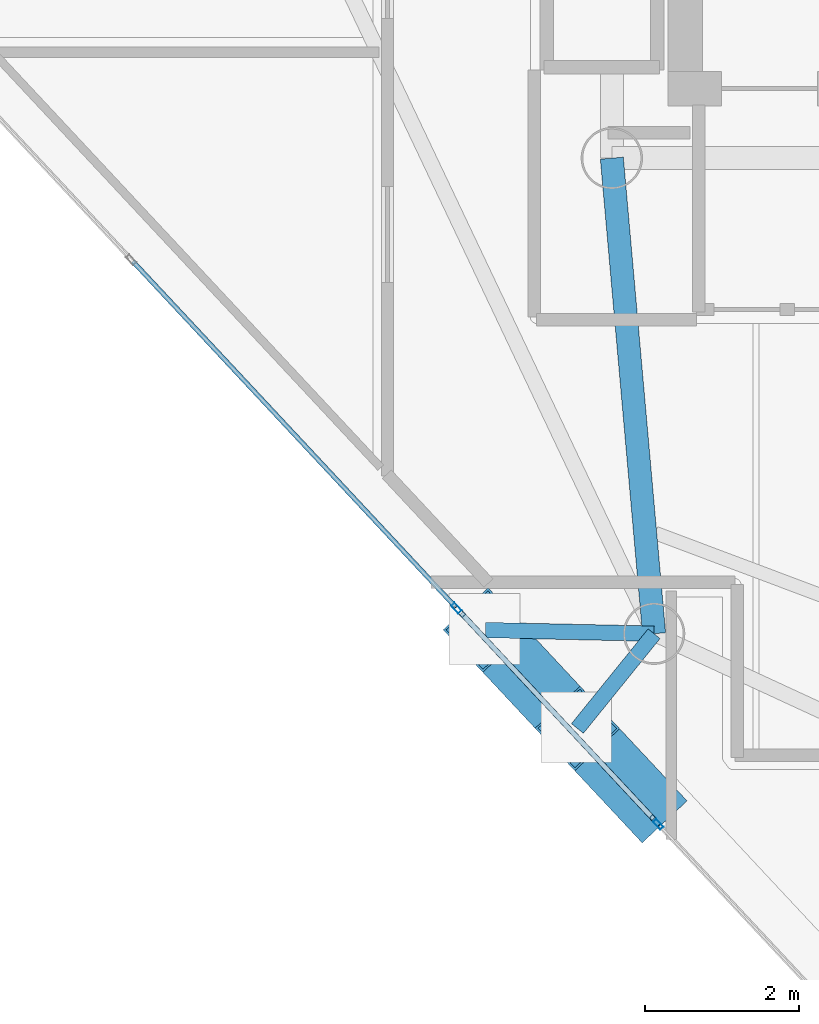
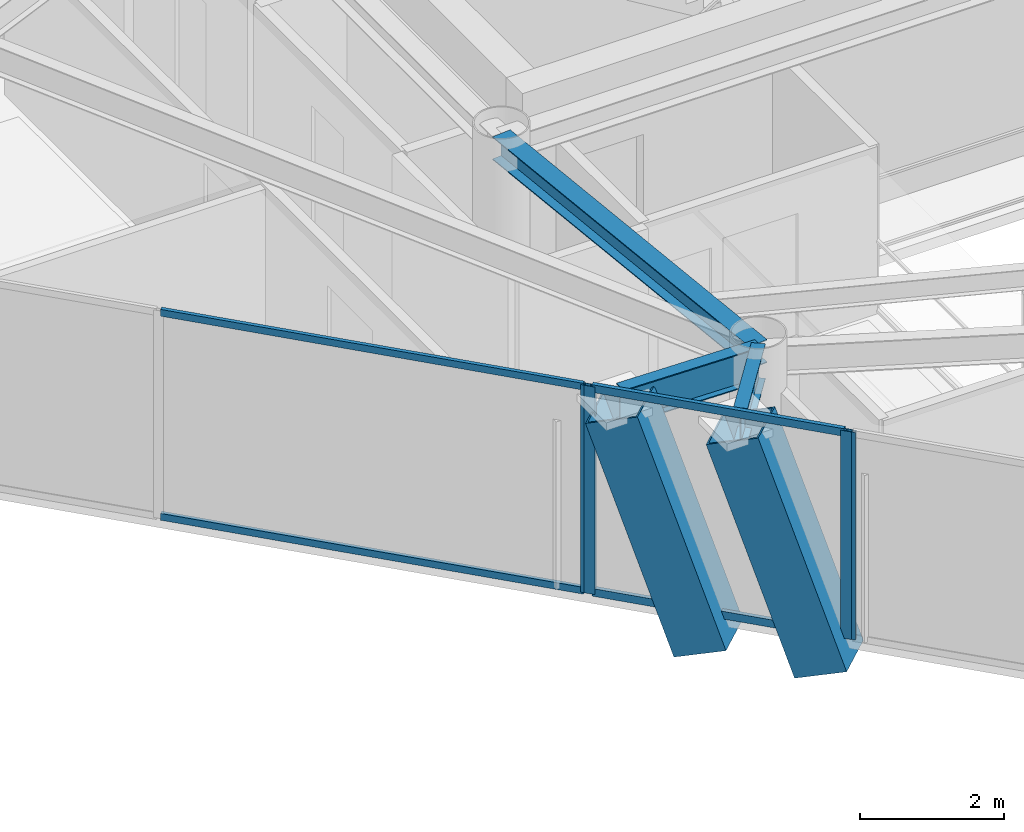
# One storey, part 3 of 19: 10 members, 3 beams, 3 elements without a shape of their own.
"""IFC4 building model written with IfcOpenShell, lengths in metres."""

from ifc_helpers import new_model, si_unit, direction, frame, origin, origin_2d, place, context, subcontext, project, spatial, hollow_rectangle, i_section, extrude, material, layer, layer_set, material_profile, profile_set, type_object, element, aggregate, save


model = new_model("IFC4")

# Units and contexts
model_context = context("Model", 3, precision=1e-05, world=origin(), true_north=direction((0.0, 1.0)))
body_context = subcontext(model_context, "Body", "Model", "MODEL_VIEW")
ifc_project = project(units=[si_unit("LENGTHUNIT", "METRE"), si_unit("AREAUNIT", "SQUARE_METRE"), si_unit("VOLUMEUNIT", "CUBIC_METRE"), si_unit("PLANEANGLEUNIT", "RADIAN"), si_unit("MASSUNIT", "GRAM", prefix="KILO")], contexts=[model_context])

# Site, building, storey
site_placement = place(None, origin())
site = spatial("IfcSite", under=ifc_project, at=site_placement, CompositionType="ELEMENT")
building_placement = place(site_placement, origin())
building = spatial("IfcBuilding", under=site, at=building_placement, Name="Qianvela Tower", CompositionType="ELEMENT")
storey_placement = place(building_placement, frame((0.0, 0.0, 333.300048828125)))
storey = spatial("IfcBuildingStorey", under=building, at=storey_placement, Name="L86", CompositionType="ELEMENT", Elevation=333.300048828125)

# Beams
ifc_material_1 = material(Name="Steel Q355B", Category="steel")
ifc_material_profile_1 = material_profile(ifc_material_1, i_section(OverallWidth=0.300048828125, OverallDepth=0.389892578125, WebThickness=0.010009765625, FlangeThickness=0.01611328125, at=origin_2d()), Name="HM390x300x10x16")
ifc_profile_set_1 = profile_set([ifc_material_profile_1], Name="Steel Q355B")
beam_type_1 = type_object("IfcBeamType", Name="BM-HM390-COLL", PredefinedType="BEAM", material=ifc_profile_set_1)
beam_1_placement = place(storey_placement, frame((28.60009765625, 23.85009765625, 3.322998046875), z_axis=(0.088501665624, -0.996076028816, 0.0), x_axis=(0.996076028816, 0.088501665624, 0.0)))
element("IfcBeam", 1, at=beam_1_placement, inside=storey, type_object=beam_type_1, Name="L86 Radial Primary Floor Girder 4", PredefinedType="BEAM", context=body_context, shape_type="SweptSolid", body=[
    extrude(i_section(OverallWidth=0.300048828125, OverallDepth=0.389892578125, WebThickness=0.010009765625, FlangeThickness=0.01611328125, at=origin_2d()), origin(), (0.0, 0.0, 1.0), 6.21240234375),
])
ifc_material_2 = material(Name="Steel Q355B", Category="steel")
ifc_material_profile_2 = material_profile(ifc_material_2, i_section(OverallWidth=0.199951171875, OverallDepth=0.60009765625, WebThickness=0.010986328125, FlangeThickness=0.01708984375, at=origin_2d()), Name="HN600x200x11x17")
ifc_profile_set_2 = profile_set([ifc_material_profile_2], Name="Steel Q355B")
beam_type_2 = type_object("IfcBeamType", Name="BM-HN600-GIRD", PredefinedType="BEAM", material=ifc_profile_set_2)
beam_2_placement = place(storey_placement, frame((29.14990234375, 17.662109375, 3.218017578125), z_axis=(-0.999764733649, 0.021690489882, 0.0), x_axis=(-0.021690489882, -0.999764733649, 0.0)))
element("IfcBeam", 2, at=beam_2_placement, inside=storey, type_object=beam_type_2, Name="L86 Mega-Brace Column Tie Bracket F2-1", PredefinedType="BEAM", context=body_context, shape_type="SweptSolid", body=[
    extrude(i_section(OverallWidth=0.199951171875, OverallDepth=0.60009765625, WebThickness=0.010986328125, FlangeThickness=0.01708984375, at=origin_2d()), origin(), (0.0, 0.0, 1.0), 2.19482421875),
])
beam_3_placement = place(storey_placement, frame((29.14990234375, 17.662109375, 3.218017578125), z_axis=(-0.629038860506, -0.777373855988, 0.0), x_axis=(0.777373855988, -0.629038860506, 0.0)))
element("IfcBeam", 3, at=beam_3_placement, inside=storey, type_object=beam_type_2, Name="L86 Mega-Brace Column Tie Bracket F2-2", PredefinedType="BEAM", context=body_context, shape_type="SweptSolid", body=[
    extrude(i_section(OverallWidth=0.199951171875, OverallDepth=0.60009765625, WebThickness=0.010986328125, FlangeThickness=0.01708984375, at=origin_2d()), origin(), (0.0, 0.0, 1.0), 1.586669921875),
])

# Curtain wall, members
ifc_material_3 = material(Name="Anodised Architectural Aluminium and Insulated Spandrel Panel", Category="aluminium")
ifc_layer_1 = layer(ifc_material_3, 0.179931640625)
ifc_layer_set_1 = layer_set([ifc_layer_1], Name="Anodised Architectural Aluminium and Insulated Spandrel Panel")
curtain_wall_type_1 = type_object("IfcCurtainWallType", Name="CW-BRACEBAY", PredefinedType="USERDEFINED", material=ifc_layer_set_1)
curtain_wall_1_placement = place(storey_placement, origin())
curtain_wall_1 = element("IfcCurtainWall", 4, at=curtain_wall_1_placement, inside=storey, type_object=curtain_wall_type_1, Name="L86 CW-BRACEBAY Curtain Wall 04B", ObjectType="CURTAIN_WALL_SYSTEM", PredefinedType="USERDEFINED")
ifc_material_4 = material(Name="Anodised Architectural Aluminium 6063-T6", Category="aluminium")
ifc_material_profile_3 = material_profile(ifc_material_4, hollow_rectangle(XDim=0.06494140625, YDim=0.159912109375, WallThickness=0.0048828125, at=origin_2d()), Name="ALU-MULL-65x160")
ifc_profile_set_3 = profile_set([ifc_material_profile_3], Name="Anodised Architectural Aluminium 6063-T6")
member_type_1 = type_object("IfcMemberType", Name="CW-BRACEBAY-MULL", PredefinedType="MULLION", material=ifc_profile_set_3)
member_1_placement = place(storey_placement, frame((26.62109375, 17.950927734375, 0.0), z_axis=(0.0, 0.0, 1.0), x_axis=(0.730875370921, 0.682510946565, 0.0)))
member_1 = element("IfcMember", 5, at=member_1_placement, type_object=member_type_1, Name="CW-9 mullion 1", PredefinedType="MULLION", context=body_context, shape_type="SweptSolid", body=[
    extrude(hollow_rectangle(XDim=0.06494140625, YDim=0.159912109375, WallThickness=0.0048828125, at=origin_2d()), origin(), (0.0, 0.0, 1.0), 3.52001953125),
])
member_2_placement = place(storey_placement, frame((29.163330078125, 15.228271484375, 0.0), z_axis=(0.0, 0.0, 1.0), x_axis=(0.730875370921, 0.682510946565, 0.0)))
member_2 = element("IfcMember", 6, at=member_2_placement, type_object=member_type_1, Name="CW-9 mullion 2", PredefinedType="MULLION", context=body_context, shape_type="SweptSolid", body=[
    extrude(hollow_rectangle(XDim=0.06494140625, YDim=0.159912109375, WallThickness=0.0048828125, at=origin_2d()), origin(), (0.0, 0.0, 1.0), 3.52001953125),
])
ifc_material_5 = material(Name="Anodised Architectural Aluminium 6063-T6", Category="aluminium")
ifc_material_profile_4 = material_profile(ifc_material_5, hollow_rectangle(XDim=0.06494140625, YDim=0.1298828125, WallThickness=0.00439453125, at=origin_2d()), Name="ALU-TRAN-65x130")
ifc_profile_set_4 = profile_set([ifc_material_profile_4], Name="Anodised Architectural Aluminium 6063-T6")
member_type_2 = type_object("IfcMemberType", Name="CW-BRACEBAY-TRAN", PredefinedType="USERDEFINED", material=ifc_profile_set_4)
member_3_placement = place(storey_placement, frame((26.643310546875, 17.927001953125, 0.032470703125), z_axis=(0.682546383709, -0.730842277161, 0.0), x_axis=(0.730842277161, 0.682546383709, 0.0)))
member_3 = element("IfcMember", 7, at=member_3_placement, type_object=member_type_2, Name="CW-9 transom 1.1", ObjectType="TRANSOM", PredefinedType="USERDEFINED", context=body_context, shape_type="SweptSolid", body=[
    extrude(hollow_rectangle(XDim=0.06494140625, YDim=0.1298828125, WallThickness=0.00439453125, at=origin_2d()), origin(), (0.0, 0.0, 1.0), 3.659912109375),
])
member_4_placement = place(storey_placement, frame((26.643310546875, 17.927001953125, 3.487548828125), z_axis=(0.682546383709, -0.730842277161, 0.0), x_axis=(0.730842277161, 0.682546383709, 0.0)))
member_4 = element("IfcMember", 8, at=member_4_placement, type_object=member_type_2, Name="CW-9 transom 1.2", ObjectType="TRANSOM", PredefinedType="USERDEFINED", context=body_context, shape_type="SweptSolid", body=[
    extrude(hollow_rectangle(XDim=0.06494140625, YDim=0.1298828125, WallThickness=0.00439453125, at=origin_2d()), origin(), (0.0, 0.0, 1.0), 3.659912109375),
])
aggregate(curtain_wall_1, [member_1, member_2, member_3, member_4])

# Curtain wall, member
ifc_material_6 = material(Name="Anodised Architectural Aluminium and Low-E Glass", Category="aluminium")
ifc_layer_2 = layer(ifc_material_6, 0.14990234375)
ifc_layer_set_2 = layer_set([ifc_layer_2], Name="Anodised Architectural Aluminium and Low-E Glass")
curtain_wall_type_2 = type_object("IfcCurtainWallType", Name="CW-COLIV-Z78", PredefinedType="USERDEFINED", material=ifc_layer_set_2)
curtain_wall_2_placement = place(storey_placement, origin())
curtain_wall_2 = element("IfcCurtainWall", 9, at=curtain_wall_2_placement, inside=storey, type_object=curtain_wall_type_2, Name="L86 CW-COLIV-Z78 Curtain Wall 04A", ObjectType="CURTAIN_WALL_SYSTEM", PredefinedType="USERDEFINED")
ifc_material_7 = material(Name="Anodised Architectural Aluminium 6063-T6", Category="aluminium")
ifc_material_profile_5 = material_profile(ifc_material_7, hollow_rectangle(XDim=0.06005859375, YDim=0.139892578125, WallThickness=0.00439453125, at=origin_2d()), Name="ALU-MULL-60x140")
ifc_profile_set_5 = profile_set([ifc_material_profile_5], Name="Anodised Architectural Aluminium 6063-T6")
member_type_3 = type_object("IfcMemberType", Name="CW-COLIV-Z78-MULL", PredefinedType="MULLION", material=ifc_profile_set_5)
member_5_placement = place(storey_placement, frame((26.578369140625, 17.99658203125, 0.0), z_axis=(0.0, 0.0, 1.0), x_axis=(0.730878298483, 0.682507811535, 0.0)))
member_5 = element("IfcMember", 10, at=member_5_placement, type_object=member_type_3, Name="CW-6 mullion 3", PredefinedType="MULLION", context=body_context, shape_type="SweptSolid", body=[
    extrude(hollow_rectangle(XDim=0.06005859375, YDim=0.139892578125, WallThickness=0.00439453125, at=origin_2d()), origin(), (0.0, 0.0, 1.0), 3.52001953125),
])

curtain_wall_3_placement = place(storey_placement, origin())
curtain_wall_3 = element("IfcCurtainWall", 11, at=curtain_wall_3_placement, inside=storey, type_object=curtain_wall_type_2, Name="L86 CW-COLIV-Z78 Curtain Wall 04C", ObjectType="CURTAIN_WALL_SYSTEM", PredefinedType="USERDEFINED")
member_6_placement = place(storey_placement, frame((29.2060546875, 15.1826171875, 0.0), z_axis=(0.0, 0.0, 1.0), x_axis=(0.730882490638, 0.682503322247, 0.0)))
member_6 = element("IfcMember", 12, at=member_6_placement, type_object=member_type_3, Name="CW-6 mullion 1", PredefinedType="MULLION", context=body_context, shape_type="SweptSolid", body=[
    extrude(hollow_rectangle(XDim=0.06005859375, YDim=0.139892578125, WallThickness=0.00439453125, at=origin_2d()), origin(), (0.0, 0.0, 1.0), 3.52001953125),
])
aggregate(curtain_wall_3, [member_6])

# Member
ifc_material_8 = material(Name="Anodised Architectural Aluminium 6063-T6", Category="aluminium")
ifc_material_profile_6 = material_profile(ifc_material_8, hollow_rectangle(XDim=0.06005859375, YDim=0.114990234375, WallThickness=0.00390625, at=origin_2d()), Name="ALU-TRAN-60x115")
ifc_profile_set_6 = profile_set([ifc_material_profile_6], Name="Anodised Architectural Aluminium 6063-T6")
member_type_4 = type_object("IfcMemberType", Name="CW-COLIV-Z78-TRAN", PredefinedType="USERDEFINED", material=ifc_profile_set_6)
member_7_placement = place(storey_placement, frame((22.367431640625, 22.506103515625, 0.030029296875), z_axis=(0.682496739704, -0.730888637409, 0.0), x_axis=(0.730888637409, 0.682496739704, 0.0)))
member_7 = element("IfcMember", 13, at=member_7_placement, type_object=member_type_4, Name="CW-6 transom 2.1", ObjectType="TRANSOM", PredefinedType="USERDEFINED", context=body_context, shape_type="SweptSolid", body=[
    extrude(hollow_rectangle(XDim=0.06005859375, YDim=0.114990234375, WallThickness=0.00390625, at=origin_2d()), origin(), (0.0, 0.0, 1.0), 6.139892578125),
])

member_8_placement = place(storey_placement, frame((22.367431640625, 22.506103515625, 3.489990234375), z_axis=(0.682496739704, -0.730888637409, 0.0), x_axis=(0.730888637409, 0.682496739704, 0.0)))
member_8 = element("IfcMember", 14, at=member_8_placement, type_object=member_type_4, Name="CW-6 transom 2.2", ObjectType="TRANSOM", PredefinedType="USERDEFINED", context=body_context, shape_type="SweptSolid", body=[
    extrude(hollow_rectangle(XDim=0.06005859375, YDim=0.114990234375, WallThickness=0.00390625, at=origin_2d()), origin(), (0.0, 0.0, 1.0), 6.139892578125),
])

aggregate(curtain_wall_2, [member_5, member_7, member_8])

# Members
ifc_material_9 = material(Name="Steel Q420GJC", Category="steel")
ifc_material_profile_7 = material_profile(ifc_material_9, hollow_rectangle(XDim=0.800048828125, YDim=0.800048828125, WallThickness=0.028076171875, at=origin_2d()), Name="MBOX-800x800x28")
ifc_profile_set_7 = profile_set([ifc_material_profile_7], Name="Steel Q420GJC")
member_type_5 = type_object("IfcMemberType", Name="MBR-MBRACE-800", PredefinedType="BRACE", material=ifc_profile_set_7)
for number, where, z_axis, x_axis, name in (
    (15, (27.832763671875, 16.7705078125, -0.48193359375), (-0.223958328691, 0.239790618, 0.944639151491), (-0.730821483332, -0.682568648196, 0.0), "L86 Tier 14 Exterior Mega-Brace F2A"),
    (16, (29.02880859375, 15.48974609375, -0.48193359375), (-0.223902468265, 0.239735215186, 0.944666455054), (-0.730827741868, -0.682561947164, 0.0), "L86 Tier 14 Exterior Mega-Brace F2B"),
):
    element("IfcMember", number, at=place(storey_placement, frame(where, z_axis=z_axis, x_axis=x_axis)), inside=storey, type_object=member_type_5, Name=name, PredefinedType="BRACE", context=body_context, shape_type="SweptSolid", body=[
        extrude(hollow_rectangle(XDim=0.800048828125, YDim=0.800048828125, WallThickness=0.028076171875, at=origin_2d()), origin(), (0.0, 0.0, 1.0), 3.916748046875),
    ])

save(model, "model.ifc")
